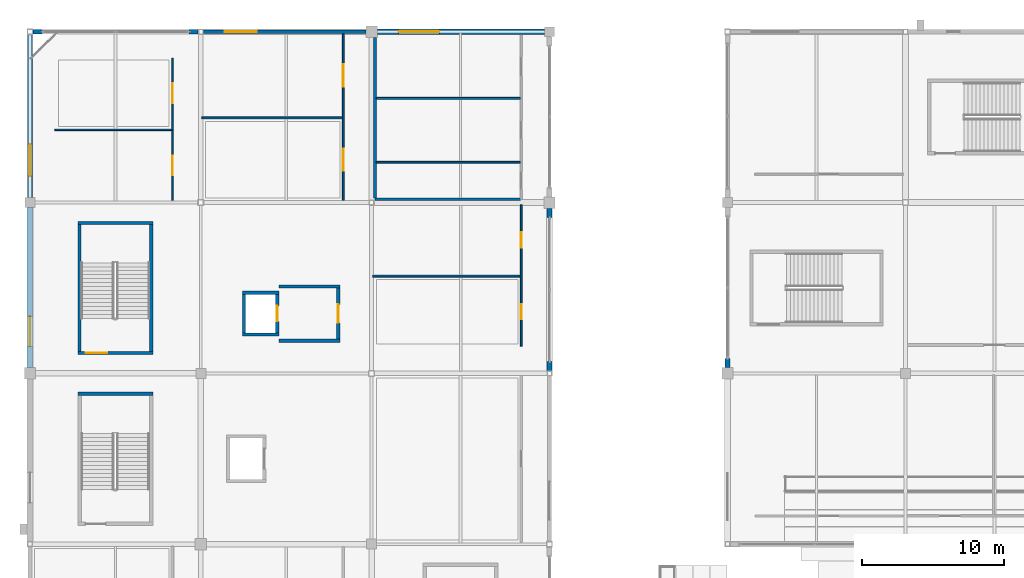
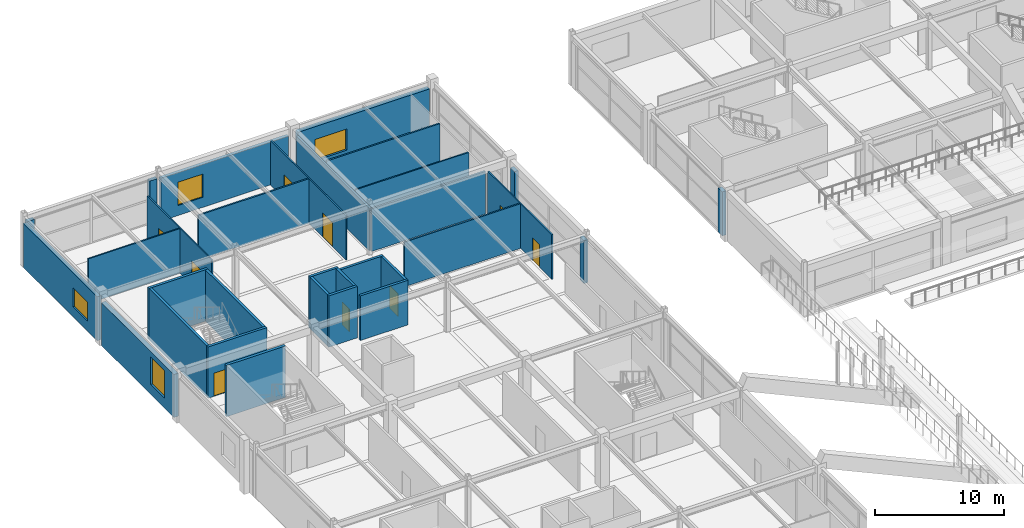
# One storey, part 96 of 128: 31 walls, 9 doors, 4 windows, 13 openings.
"""IFC4 building model written with IfcOpenShell, lengths in metres."""

from ifc_helpers import new_model, si_unit, direction, frame, frame_2d, origin, place, context, subcontext, project, spatial, rectangle, extrude, material, layer, layer_set, type_object, element, fill, save


model = new_model("IFC4")

# Units and contexts
model_context = context("Model", 3, precision=1e-05, world=origin(), true_north=direction((0.0, 1.0)))
body_context = subcontext(model_context, "Body", "Model", "MODEL_VIEW")
ifc_project = project(units=[si_unit("LENGTHUNIT", "METRE"), si_unit("AREAUNIT", "SQUARE_METRE"), si_unit("VOLUMEUNIT", "CUBIC_METRE"), si_unit("PLANEANGLEUNIT", "RADIAN"), si_unit("MASSUNIT", "GRAM", prefix="KILO")], contexts=[model_context])

# Site, building, storey
site_placement = place(None, origin())
site = spatial("IfcSite", under=ifc_project, at=site_placement, CompositionType="ELEMENT")
building_placement = place(site_placement, origin())
building = spatial("IfcBuilding", under=site, at=building_placement, Name="Kazenohara Klinker Stadium", CompositionType="ELEMENT")
storey_placement = place(building_placement, frame((0.0, 0.0, 15.300048828125)))
storey = spatial("IfcBuildingStorey", under=building, at=storey_placement, Name="L03", CompositionType="ELEMENT", Elevation=15.300048828125)

# Wall, opening, door
ifc_material_1 = material(Name="Concrete C40/50", Category="concrete")
ifc_layer_1 = layer(ifc_material_1, 0.22998046875)
ifc_layer_set_1 = layer_set([ifc_layer_1], Name="Concrete C40/50")
wall_type_1 = type_object("IfcWallType", Name="WAL-CORE-230", PredefinedType="SHEAR", material=ifc_layer_set_1)
wall_1_placement = place(storey_placement, frame((3.3701171875, 145.43505859375, 0.0), z_axis=(0.0, 0.0, 1.0), x_axis=(1.0, 0.0, 0.0)))
wall_1 = element("IfcWall", 1, at=wall_1_placement, inside=storey, type_object=wall_type_1, Name="Stairwell shear wall ST06 L03 South", PredefinedType="SHEAR", context=body_context, shape_type="SweptSolid", body=[
    extrude(rectangle(XDim=5.259765625, YDim=0.22998046875, at=frame_2d((2.6298828125, 0.0))), origin(), (0.0, 0.0, 1.0), 4.85986328125),
])
opening_1_placement = place(wall_1_placement, frame((0.550048828125, 0.0, 0.0)))
opening_1 = element("IfcOpeningElement", 2, at=opening_1_placement, cuts=wall_1, Name="Opening SD02", PredefinedType="OPENING", context=body_context, shape_type="SweptSolid", body=[
    extrude(rectangle(XDim=1.5, YDim=2.199951171875, at=frame_2d((0.75, 1.10009765625))), frame((0.0, 0.125, 0.0), z_axis=(0.0, -1.0, 0.0), x_axis=(1.0, 0.0, 0.0)), (0.0, 0.0, 1.0), 0.25),
])
ifc_material_2 = material(Name="Flush painted steel fire door leaf", Category="steel")
door_type_1 = type_object("IfcDoorType", Name="DR-STR-1500x2200", OperationType="NOTDEFINED", PredefinedType="DOOR", material=ifc_material_2)
door_1_placement = place(opening_1_placement, origin())
door_1 = element("IfcDoor", 3, at=door_1_placement, inside=storey, type_object=door_type_1, Name="Escape stairwell fire door ST06-L03", OperationType="SINGLE_SWING_RIGHT", OverallHeight=2.199951171875, OverallWidth=1.5, PredefinedType="DOOR", context=body_context, shape_type="SweptSolid", body=[
    extrude(rectangle(XDim=1.5, YDim=2.199951171875, at=frame_2d((0.75, 1.10009765625))), frame((0.0, 0.02490234375, 0.0), z_axis=(0.0, -1.0, 0.0), x_axis=(1.0, 0.0, 0.0)), (0.0, 0.0, 1.0), 0.050048828125),
])
fill(opening_1, door_1)

# Walls
wall_2_placement = place(storey_placement, frame((3.3701171875, 154.56494140625, 0.0), z_axis=(0.0, 0.0, 1.0), x_axis=(1.0, 0.0, 0.0)))
element("IfcWall", 4, at=wall_2_placement, inside=storey, type_object=wall_type_1, Name="Stairwell shear wall ST06 L03 North", PredefinedType="SHEAR", context=body_context, shape_type="SweptSolid", body=[
    extrude(rectangle(XDim=5.259765625, YDim=0.22998046875, at=frame_2d((2.6298828125, 0.0))), origin(), (0.0, 0.0, 1.0), 4.85986328125),
])
for number, where, z_axis, x_axis, name in (
    (5, (3.485107421875, 145.550048828125, 0.0), (0.0, 0.0, 1.0), (0.0, 1.0, 0.0), "Stairwell shear wall ST06 L03 West"),
    (6, (8.514892578125, 145.550048828125, 0.0), (0.0, 0.0, 1.0), (0.0, 1.0, 0.0), "Stairwell shear wall ST06 L03 East"),
):
    element("IfcWall", number, at=place(storey_placement, frame(where, z_axis=z_axis, x_axis=x_axis)), inside=storey, type_object=wall_type_1, Name=name, PredefinedType="SHEAR", context=body_context, shape_type="SweptSolid", body=[
        extrude(rectangle(XDim=8.89990234375, YDim=0.22998046875, at=frame_2d((4.449951171875, 0.0))), origin(), (0.0, 0.0, 1.0), 4.85986328125),
    ])
for number, where, z_axis, x_axis, name in (
    (7, (14.919921875, 146.735107421875, 0.0), (0.0, 0.0, 1.0), (1.0, 0.0, 0.0), "Elevator shaft wall LF03 L03 South"),
    (8, (14.919921875, 149.6650390625, 0.0), (0.0, 0.0, 1.0), (1.0, 0.0, 0.0), "Elevator shaft wall LF03 L03 North"),
):
    element("IfcWall", number, at=place(storey_placement, frame(where, z_axis=z_axis, x_axis=x_axis)), inside=storey, type_object=wall_type_1, Name=name, PredefinedType="SHEAR", context=body_context, shape_type="SweptSolid", body=[
        extrude(rectangle(XDim=2.56005859375, YDim=0.22998046875, at=frame_2d((1.280029296875, 0.0))), origin(), (0.0, 0.0, 1.0), 4.85986328125),
    ])
wall_3_placement = place(storey_placement, frame((15.034912109375, 146.85009765625, 0.0), z_axis=(0.0, 0.0, 1.0), x_axis=(0.0, 1.0, 0.0)))
element("IfcWall", 9, at=wall_3_placement, inside=storey, type_object=wall_type_1, Name="Elevator shaft wall LF03 L03 West", PredefinedType="SHEAR", context=body_context, shape_type="SweptSolid", body=[
    extrude(rectangle(XDim=2.699951171875, YDim=0.22998046875, at=frame_2d((1.35009765625, 0.0))), origin(), (0.0, 0.0, 1.0), 4.85986328125),
])

# Wall, opening, door
wall_4_placement = place(storey_placement, frame((17.364990234375, 146.85009765625, 0.0), z_axis=(0.0, 0.0, 1.0), x_axis=(0.0, 1.0, 0.0)))
wall_4 = element("IfcWall", 10, at=wall_4_placement, inside=storey, type_object=wall_type_1, Name="Elevator shaft wall LF03 L03 East", PredefinedType="SHEAR", context=body_context, shape_type="SweptSolid", body=[
    extrude(rectangle(XDim=2.699951171875, YDim=0.22998046875, at=frame_2d((1.35009765625, 0.0))), origin(), (0.0, 0.0, 1.0), 4.85986328125),
])
opening_2_placement = place(wall_4_placement, frame((0.800048828125, 0.0, 0.0)))
opening_2 = element("IfcOpeningElement", 11, at=opening_2_placement, cuts=wall_4, Name="Opening LD01", PredefinedType="OPENING", context=body_context, shape_type="SweptSolid", body=[
    extrude(rectangle(XDim=1.10009765625, YDim=2.14990234375, at=frame_2d((0.550048828125, 1.074951171875))), frame((0.0, 0.125, 0.0), z_axis=(0.0, -1.0, 0.0), x_axis=(1.0, 0.0, 0.0)), (0.0, 0.0, 1.0), 0.25),
])
ifc_material_3 = material(Name="Stainless steel fire-rated sliding landing door", Category="steel")
door_type_2 = type_object("IfcDoorType", Name="DR-LD01-1100x2150", OperationType="NOTDEFINED", PredefinedType="DOOR", material=ifc_material_3)
door_2_placement = place(opening_2_placement, origin())
door_2 = element("IfcDoor", 12, at=door_2_placement, inside=storey, type_object=door_type_2, Name="Elevator sliding landing door LF03-L03", OperationType="DOUBLE_DOOR_SLIDING", OverallHeight=2.14990234375, OverallWidth=1.10009765625, PredefinedType="DOOR", context=body_context, shape_type="SweptSolid", body=[
    extrude(rectangle(XDim=1.10009765625, YDim=2.14990234375, at=frame_2d((0.550048828125, 1.074951171875))), frame((0.0, 0.02490234375, 0.0), z_axis=(0.0, -1.0, 0.0), x_axis=(1.0, 0.0, 0.0)), (0.0, 0.0, 1.0), 0.050048828125),
])
fill(opening_2, door_2)

# Wall
ifc_layer_2 = layer(ifc_material_1, 0.25)
ifc_layer_set_2 = layer_set([ifc_layer_2], Name="Concrete C40/50")
wall_type_2 = type_object("IfcWallType", Name="WAL-CORE-250", PredefinedType="SHEAR", material=ifc_layer_set_2)
wall_5_placement = place(storey_placement, frame((3.360107421875, 142.574951171875, 0.0), z_axis=(0.0, 0.0, 1.0), x_axis=(1.0, 0.0, 0.0)))
element("IfcWall", 13, at=wall_5_placement, inside=storey, type_object=wall_type_2, Name="Stairwell shear wall ST05 L03 North", PredefinedType="SHEAR", context=body_context, shape_type="SweptSolid", body=[
    extrude(rectangle(XDim=5.27978515625, YDim=0.25, at=frame_2d((2.639892578125, 0.0))), origin(), (0.0, 0.0, 1.0), 4.85986328125),
])

# Wall, opening, window
ifc_material_4 = material(Name="Clinker brick masonry", Category="masonry")
ifc_layer_3 = layer(ifc_material_4, 0.280029296875)
ifc_layer_set_3 = layer_set([ifc_layer_3], Name="Clinker brick masonry")
wall_type_3 = type_object("IfcWallType", Name="WAL-EXT-CB280", PredefinedType="SOLIDWALL", material=ifc_layer_set_3)
wall_6_placement = place(storey_placement, frame((12.178955078125, 168.0, 0.0), z_axis=(0.0, 0.0, 1.0), x_axis=(1.0, 0.0, 0.0)))
wall_6 = element("IfcWall", 14, at=wall_6_placement, inside=storey, type_object=wall_type_3, Name="Clinker brick cavity wall EW06 L03 X1-14", PredefinedType="SOLIDWALL", context=body_context, shape_type="SweptSolid", body=[
    extrude(rectangle(XDim=11.4169921875, YDim=0.280029296875, at=frame_2d((5.70849609375, 0.0))), origin(), (0.0, 0.0, 1.0), 4.06005859375),
])
opening_3_placement = place(wall_6_placement, frame((1.5, 0.0, 0.949951171875)))
opening_3 = element("IfcOpeningElement", 15, at=opening_3_placement, cuts=wall_6, Name="Opening W22", PredefinedType="OPENING", context=body_context, shape_type="SweptSolid", body=[
    extrude(rectangle(XDim=2.25, YDim=2.199951171875, at=frame_2d((1.125, 1.10009765625))), frame((0.0, 0.14990234375, 0.0), z_axis=(0.0, -1.0, 0.0), x_axis=(1.0, 0.0, 0.0)), (0.0, 0.0, 1.0), 0.300048828125),
])
ifc_material_5 = material(Name="Dark bronze aluminium frame and triple glazing", Category="aluminium")
window_type_1 = type_object("IfcWindowType", Name="WIN-AS-22", PartitioningType="SINGLE_PANEL", PredefinedType="WINDOW", material=ifc_material_5)
window_1_placement = place(opening_3_placement, origin())
window_1 = element("IfcWindow", 16, at=window_1_placement, inside=storey, type_object=window_type_1, Name="Horizontal-mullion ladder window W22 L03 X1-14", OverallHeight=2.199951171875, OverallWidth=2.25, PartitioningType="SINGLE_PANEL", PredefinedType="WINDOW", context=body_context, shape_type="SweptSolid", body=[
    extrude(rectangle(XDim=2.25, YDim=2.199951171875, at=frame_2d((1.125, 1.10009765625))), frame((0.0, 0.030029296875, 0.0), z_axis=(0.0, -1.0, 0.0), x_axis=(1.0, 0.0, 0.0)), (0.0, 0.0, 1.0), 0.06005859375),
])
fill(opening_3, window_1)

# Walls
ifc_layer_4 = layer(ifc_material_4, 0.340087890625)
ifc_layer_set_4 = layer_set([ifc_layer_4], Name="Clinker brick masonry")
wall_type_4 = type_object("IfcWallType", Name="WAL-EXT-CB340", PredefinedType="SOLIDWALL", material=ifc_layer_set_4)
wall_7_placement = place(storey_placement, frame((0.2041015625, 168.0, 0.0), z_axis=(0.0, 0.0, 1.0), x_axis=(1.0, 0.0, 0.0)))
element("IfcWall", 17, at=wall_7_placement, inside=storey, type_object=wall_type_4, Name="Clinker brick curtain-wall jamb pier L03 X0-14 A", PredefinedType="SOLIDWALL", context=body_context, shape_type="SweptSolid", body=[
    extrude(rectangle(XDim=0.64990234375, YDim=0.340087890625, at=frame_2d((0.324951171875, 0.0))), origin(), (0.0, 0.0, 1.0), 4.171875),
])
wall_8_placement = place(storey_placement, frame((11.1708984375, 168.0, 0.0), z_axis=(0.0, 0.0, 1.0), x_axis=(1.0, 0.0, 0.0)))
element("IfcWall", 18, at=wall_8_placement, inside=storey, type_object=wall_type_4, Name="Clinker brick curtain-wall jamb pier L03 X0-14 B", PredefinedType="SOLIDWALL", context=body_context, shape_type="SweptSolid", body=[
    extrude(rectangle(XDim=0.650146484375, YDim=0.340087890625, at=frame_2d((0.3251953125, 0.0))), origin(), (0.0, 0.0, 1.0), 4.171875),
])

# Wall, opening, window
wall_9_placement = place(storey_placement, frame((0.0, 156.35400390625, 0.0), z_axis=(0.0, 0.0, 1.0), x_axis=(0.0, 1.0, 0.0)))
wall_9 = element("IfcWall", 19, at=wall_9_placement, inside=storey, type_object=wall_type_4, Name="Clinker brick cavity wall EW04 L03 Y0-13", PredefinedType="SOLIDWALL", context=body_context, shape_type="SweptSolid", body=[
    extrude(rectangle(XDim=11.44189453125, YDim=0.340087890625, at=frame_2d((5.720947265625, 0.0))), origin(), (0.0, 0.0, 1.0), 4.159912109375),
])
opening_4_placement = place(wall_9_placement, frame((1.5, 0.0, 0.949951171875)))
opening_4 = element("IfcOpeningElement", 20, at=opening_4_placement, cuts=wall_9, Name="Opening W21", PredefinedType="OPENING", context=body_context, shape_type="SweptSolid", body=[
    extrude(rectangle(XDim=2.25, YDim=1.800048828125, at=frame_2d((1.125, 0.89990234375))), frame((0.0, 0.18017578125, 0.0), z_axis=(0.0, -1.0, 0.0), x_axis=(1.0, 0.0, 0.0)), (0.0, 0.0, 1.0), 0.360107421875),
])
window_type_2 = type_object("IfcWindowType", Name="WIN-AS-21", PartitioningType="SINGLE_PANEL", PredefinedType="WINDOW", material=ifc_material_5)
window_2_placement = place(opening_4_placement, origin())
window_2 = element("IfcWindow", 21, at=window_2_placement, inside=storey, type_object=window_type_2, Name="Horizontal-mullion ladder window W21 L03 Y0-13", OverallHeight=1.800048828125, OverallWidth=2.25, PartitioningType="SINGLE_PANEL", PredefinedType="WINDOW", context=body_context, shape_type="SweptSolid", body=[
    extrude(rectangle(XDim=2.25, YDim=1.800048828125, at=frame_2d((1.125, 0.89990234375))), frame((0.0, 0.030029296875, 0.0), z_axis=(0.0, -1.0, 0.0), x_axis=(1.0, 0.0, 0.0)), (0.0, 0.0, 1.0), 0.06005859375),
])
fill(opening_4, window_2)

# Walls
wall_10_placement = place(storey_placement, frame((36.5, 144.178955078125, 0.0), z_axis=(0.0, 0.0, 1.0), x_axis=(0.0, 1.0, 0.0)))
element("IfcWall", 22, at=wall_10_placement, inside=storey, type_object=wall_type_4, Name="Clinker brick curtain-wall jamb pier L03 Y3-12 A", PredefinedType="SOLIDWALL", context=body_context, shape_type="SweptSolid", body=[
    extrude(rectangle(XDim=0.650146484375, YDim=0.340087890625, at=frame_2d((0.3251953125, 0.0))), origin(), (0.0, 0.0, 1.0), 4.06005859375),
])
wall_11_placement = place(storey_placement, frame((36.5, 154.946044921875, 0.0), z_axis=(0.0, 0.0, 1.0), x_axis=(0.0, 1.0, 0.0)))
element("IfcWall", 23, at=wall_11_placement, inside=storey, type_object=wall_type_4, Name="Clinker brick curtain-wall jamb pier L03 Y3-12 B", PredefinedType="SOLIDWALL", context=body_context, shape_type="SweptSolid", body=[
    extrude(rectangle(XDim=0.64990234375, YDim=0.340087890625, at=frame_2d((0.324951171875, 0.0))), origin(), (0.0, 0.0, 1.0), 4.06005859375),
])
wall_12_placement = place(storey_placement, frame((49.0, 144.404052734375, 0.0), z_axis=(0.0, 0.0, 1.0), x_axis=(0.0, 1.0, 0.0)))
element("IfcWall", 24, at=wall_12_placement, inside=storey, type_object=wall_type_4, Name="Clinker brick curtain-wall jamb pier L03 Y4-12 A", PredefinedType="SOLIDWALL", context=body_context, shape_type="SweptSolid", body=[
    extrude(rectangle(XDim=0.64990234375, YDim=0.340087890625, at=frame_2d((0.324951171875, 0.0))), origin(), (0.0, 0.0, 1.0), 4.159912109375),
])

# Wall, opening, window
ifc_layer_5 = layer(ifc_material_4, 0.409912109375)
ifc_layer_set_5 = layer_set([ifc_layer_5], Name="Clinker brick masonry")
wall_type_5 = type_object("IfcWallType", Name="WAL-EXT-CB410", PredefinedType="SOLIDWALL", material=ifc_layer_set_5)
wall_13_placement = place(storey_placement, frame((0.0, 144.404052734375, 0.0), z_axis=(0.0, 0.0, 1.0), x_axis=(0.0, 1.0, 0.0)))
wall_13 = element("IfcWall", 25, at=wall_13_placement, inside=storey, type_object=wall_type_5, Name="Clinker brick cavity wall EW02 L03 Y0-12", PredefinedType="SOLIDWALL", context=body_context, shape_type="SweptSolid", body=[
    extrude(rectangle(XDim=11.241943359375, YDim=0.409912109375, at=frame_2d((5.62109375, 0.0))), origin(), (0.0, 0.0, 1.0), 4.06005859375),
])
opening_5_placement = place(wall_13_placement, frame((1.5, 0.0, 0.949951171875)))
opening_5 = element("IfcOpeningElement", 26, at=opening_5_placement, cuts=wall_13, Name="Opening W20", PredefinedType="OPENING", context=body_context, shape_type="SweptSolid", body=[
    extrude(rectangle(XDim=2.10009765625, YDim=2.60009765625, at=frame_2d((1.050048828125, 1.300048828125))), frame((0.0, 0.21484375, 0.0), z_axis=(0.0, -1.0, 0.0), x_axis=(1.0, 0.0, 0.0)), (0.0, 0.0, 1.0), 0.429931640625),
])
window_type_3 = type_object("IfcWindowType", Name="WIN-AS-20", PartitioningType="SINGLE_PANEL", PredefinedType="WINDOW", material=ifc_material_5)
window_3_placement = place(opening_5_placement, origin())
window_3 = element("IfcWindow", 27, at=window_3_placement, inside=storey, type_object=window_type_3, Name="Horizontal-mullion ladder window W20 L03 Y0-12", OverallHeight=2.60009765625, OverallWidth=2.10009765625, PartitioningType="SINGLE_PANEL", PredefinedType="WINDOW", context=body_context, shape_type="SweptSolid", body=[
    extrude(rectangle(XDim=2.10009765625, YDim=2.60009765625, at=frame_2d((1.050048828125, 1.300048828125))), frame((0.0, 0.030029296875, 0.0), z_axis=(0.0, -1.0, 0.0), x_axis=(1.0, 0.0, 0.0)), (0.0, 0.0, 1.0), 0.06005859375),
])
fill(opening_5, window_3)

wall_14_placement = place(storey_placement, frame((24.404052734375, 168.0, 0.0), z_axis=(0.0, 0.0, 1.0), x_axis=(1.0, 0.0, 0.0)))
wall_14 = element("IfcWall", 28, at=wall_14_placement, inside=storey, type_object=wall_type_5, Name="Clinker brick cavity wall EW02 L03 X2-14", PredefinedType="SOLIDWALL", context=body_context, shape_type="SweptSolid", body=[
    extrude(rectangle(XDim=11.741943359375, YDim=0.409912109375, at=frame_2d((5.87109375, 0.0))), origin(), (0.0, 0.0, 1.0), 4.159912109375),
])
opening_6_placement = place(wall_14_placement, frame((1.5, 0.0, 0.949951171875)))
opening_6 = element("IfcOpeningElement", 29, at=opening_6_placement, cuts=wall_14, Name="Opening W29", PredefinedType="OPENING", context=body_context, shape_type="SweptSolid", body=[
    extrude(rectangle(XDim=2.85009765625, YDim=2.0, at=frame_2d((1.425048828125, 1.0))), frame((0.0, 0.21484375, 0.0), z_axis=(0.0, -1.0, 0.0), x_axis=(1.0, 0.0, 0.0)), (0.0, 0.0, 1.0), 0.429931640625),
])
window_type_4 = type_object("IfcWindowType", Name="WIN-AS-29", PartitioningType="SINGLE_PANEL", PredefinedType="WINDOW", material=ifc_material_5)
window_4_placement = place(opening_6_placement, origin())
window_4 = element("IfcWindow", 30, at=window_4_placement, inside=storey, type_object=window_type_4, Name="Horizontal-mullion ladder window W29 L03 X2-14", OverallHeight=2.0, OverallWidth=2.85009765625, PartitioningType="SINGLE_PANEL", PredefinedType="WINDOW", context=body_context, shape_type="SweptSolid", body=[
    extrude(rectangle(XDim=2.85009765625, YDim=2.0, at=frame_2d((1.425048828125, 1.0))), frame((0.0, 0.030029296875, 0.0), z_axis=(0.0, -1.0, 0.0), x_axis=(1.0, 0.0, 0.0)), (0.0, 0.0, 1.0), 0.06005859375),
])
fill(opening_6, window_4)

# Walls
ifc_layer_6 = layer(ifc_material_1, 0.219970703125)
ifc_layer_set_6 = layer_set([ifc_layer_6], Name="Concrete C40/50")
wall_type_6 = type_object("IfcWallType", Name="WAL-INT-FF220", PredefinedType="SOLIDWALL", material=ifc_layer_set_6)
for number, where, z_axis, x_axis, name in (
    (31, (17.47998046875, 146.2900390625, 0.0), (0.0, 0.0, 1.0), (1.0, 0.0, 0.0), "Firefighting lobby wall LF03 L03 South"),
    (32, (17.47998046875, 150.110107421875, 0.0), (0.0, 0.0, 1.0), (1.0, 0.0, 0.0), "Firefighting lobby wall LF03 L03 North"),
):
    element("IfcWall", number, at=place(storey_placement, frame(where, z_axis=z_axis, x_axis=x_axis)), inside=storey, type_object=wall_type_6, Name=name, PredefinedType="SOLIDWALL", context=body_context, shape_type="SweptSolid", body=[
        extrude(rectangle(XDim=4.2900390625, YDim=0.219970703125, at=frame_2d((2.14501953125, 0.0))), origin(), (0.0, 0.0, 1.0), 4.219970703125),
    ])

# Wall, opening, door
wall_15_placement = place(storey_placement, frame((21.659912109375, 146.39990234375, 0.0), z_axis=(0.0, 0.0, 1.0), x_axis=(0.0, 1.0, 0.0)))
wall_15 = element("IfcWall", 33, at=wall_15_placement, inside=storey, type_object=wall_type_6, Name="Firefighting lobby front wall LF03 L03", PredefinedType="SOLIDWALL", context=body_context, shape_type="SweptSolid", body=[
    extrude(rectangle(XDim=3.60009765625, YDim=0.219970703125, at=frame_2d((1.800048828125, 0.0))), origin(), (0.0, 0.0, 1.0), 4.219970703125),
])
opening_7_placement = place(wall_15_placement, frame((1.14990234375, 0.0, 0.0)))
opening_7 = element("IfcOpeningElement", 34, at=opening_7_placement, cuts=wall_15, Name="Opening FD01", PredefinedType="OPENING", context=body_context, shape_type="SweptSolid", body=[
    extrude(rectangle(XDim=1.300048828125, YDim=2.14990234375, at=frame_2d((0.64990234375, 1.074951171875))), frame((0.0, 0.1201171875, 0.0), z_axis=(0.0, -1.0, 0.0), x_axis=(1.0, 0.0, 0.0)), (0.0, 0.0, 1.0), 0.239990234375),
])
ifc_material_6 = material(Name="Smoke-sealed steel fire lobby door", Category="steel")
door_type_3 = type_object("IfcDoorType", Name="DR-FFL-1300x2150", OperationType="NOTDEFINED", PredefinedType="DOOR", material=ifc_material_6)
door_3_placement = place(opening_7_placement, origin())
door_3 = element("IfcDoor", 35, at=door_3_placement, inside=storey, type_object=door_type_3, Name="Firefighting lobby smoke-sealed door LF03-L03", OperationType="SINGLE_SWING_LEFT", OverallHeight=2.14990234375, OverallWidth=1.300048828125, PredefinedType="DOOR", context=body_context, shape_type="SweptSolid", body=[
    extrude(rectangle(XDim=1.300048828125, YDim=2.14990234375, at=frame_2d((0.64990234375, 1.074951171875))), frame((0.0, 0.02490234375, 0.0), z_axis=(0.0, -1.0, 0.0), x_axis=(1.0, 0.0, 0.0)), (0.0, 0.0, 1.0), 0.050048828125),
])
fill(opening_7, door_3)

# Wall, openings, doors
ifc_material_7 = material(Name="Fire-rated gypsum board on acoustic studs", Category="gypsum")
ifc_layer_7 = layer(ifc_material_7, 0.110107421875)
ifc_layer_set_7 = layer_set([ifc_layer_7], Name="Fire-rated gypsum board on acoustic studs")
wall_type_7 = type_object("IfcWallType", Name="WAL-INT-P110", PredefinedType="PARTITIONING", material=ifc_layer_set_7)
wall_16_placement = place(storey_placement, frame((10.010009765625, 156.159912109375, 0.0), z_axis=(0.0, 0.0, 1.0), x_axis=(0.0, 1.0, 0.0)))
wall_16 = element("IfcWall", 36, at=wall_16_placement, inside=storey, type_object=wall_type_7, Name="Interior partition wall PT01 SPC-L03-00-13-1-1", PredefinedType="PARTITIONING", context=body_context, shape_type="SweptSolid", body=[
    extrude(rectangle(XDim=9.989990234375, YDim=0.110107421875, at=frame_2d((4.9951171875, 0.0))), origin(), (0.0, 0.0, 1.0), 4.219970703125),
])
opening_8_placement = place(wall_16_placement, frame((1.75244140625, 0.0, 0.0)))
opening_8 = element("IfcOpeningElement", 37, at=opening_8_placement, cuts=wall_16, Name="Opening ID17", PredefinedType="OPENING", context=body_context, shape_type="SweptSolid", body=[
    extrude(rectangle(XDim=1.360107421875, YDim=2.25, at=frame_2d((0.68017578125, 1.125))), frame((0.0, 0.06494140625, 0.0), z_axis=(0.0, -1.0, 0.0), x_axis=(1.0, 0.0, 0.0)), (0.0, 0.0, 1.0), 0.130126953125),
])
opening_9_placement = place(wall_16_placement, frame((6.8076171875, 0.0, 0.0)))
opening_9 = element("IfcOpeningElement", 38, at=opening_9_placement, cuts=wall_16, Name="Opening ID18", PredefinedType="OPENING", context=body_context, shape_type="SweptSolid", body=[
    extrude(rectangle(XDim=1.39990234375, YDim=2.239990234375, at=frame_2d((0.699951171875, 1.1201171875))), frame((0.0, 0.06494140625, 0.0), z_axis=(0.0, -1.0, 0.0), x_axis=(1.0, 0.0, 0.0)), (0.0, 0.0, 1.0), 0.130126953125),
])
ifc_material_8 = material(Name="Solid-core Hokkaido oak fire door", Category="wood")
door_type_4 = type_object("IfcDoorType", Name="DR-INT-17", OperationType="NOTDEFINED", PredefinedType="DOOR", material=ifc_material_8)
door_4_placement = place(opening_8_placement, origin())
door_4 = element("IfcDoor", 39, at=door_4_placement, inside=storey, type_object=door_type_4, Name="Interior door ID17 Supporter Tifo Workshop Studio L03-0013A", OperationType="SINGLE_SWING_RIGHT", OverallHeight=2.25, OverallWidth=1.360107421875, PredefinedType="DOOR", context=body_context, shape_type="SweptSolid", body=[
    extrude(rectangle(XDim=1.360107421875, YDim=2.25, at=frame_2d((0.68017578125, 1.125))), frame((0.0, 0.02490234375, 0.0), z_axis=(0.0, -1.0, 0.0), x_axis=(1.0, 0.0, 0.0)), (0.0, 0.0, 1.0), 0.050048828125),
])
fill(opening_8, door_4)
door_type_5 = type_object("IfcDoorType", Name="DR-INT-18", OperationType="NOTDEFINED", PredefinedType="DOOR", material=ifc_material_8)
door_5_placement = place(opening_9_placement, origin())
door_5 = element("IfcDoor", 40, at=door_5_placement, inside=storey, type_object=door_type_5, Name="Interior door ID18 Crowd Safety Monitoring Control Studio L03-0013B", OperationType="SINGLE_SWING_LEFT", OverallHeight=2.239990234375, OverallWidth=1.39990234375, PredefinedType="DOOR", context=body_context, shape_type="SweptSolid", body=[
    extrude(rectangle(XDim=1.39990234375, YDim=2.239990234375, at=frame_2d((0.699951171875, 1.1201171875))), frame((0.0, 0.02490234375, 0.0), z_axis=(0.0, -1.0, 0.0), x_axis=(1.0, 0.0, 0.0)), (0.0, 0.0, 1.0), 0.050048828125),
])
fill(opening_9, door_5)

# Wall
ifc_layer_8 = layer(ifc_material_7, 0.1201171875)
ifc_layer_set_8 = layer_set([ifc_layer_8], Name="Fire-rated gypsum board on acoustic studs")
wall_type_8 = type_object("IfcWallType", Name="WAL-INT-P120", PredefinedType="PARTITIONING", material=ifc_layer_set_8)
wall_17_placement = place(storey_placement, frame((1.75, 161.10498046875, 0.0), z_axis=(0.0, 0.0, 1.0), x_axis=(1.0, 0.0, 0.0)))
element("IfcWall", 41, at=wall_17_placement, inside=storey, type_object=wall_type_8, Name="Interior partition wall PT02 SPC-L03-00-13-1-2", PredefinedType="PARTITIONING", context=body_context, shape_type="SweptSolid", body=[
    extrude(rectangle(XDim=8.199951171875, YDim=0.1201171875, at=frame_2d((4.10009765625, 0.0))), origin(), (0.0, 0.0, 1.0), 4.219970703125),
])

# Wall, openings, doors
wall_18_placement = place(storey_placement, frame((22.010009765625, 156.159912109375, 0.0), z_axis=(0.0, 0.0, 1.0), x_axis=(0.0, 1.0, 0.0)))
wall_18 = element("IfcWall", 42, at=wall_18_placement, inside=storey, type_object=wall_type_8, Name="Interior partition wall PT02 SPC-L03-01-13-1-1", PredefinedType="PARTITIONING", context=body_context, shape_type="SweptSolid", body=[
    extrude(rectangle(XDim=11.697998046875, YDim=0.1201171875, at=frame_2d((5.84912109375, 0.0))), origin(), (0.0, 0.0, 1.0), 4.219970703125),
])
opening_10_placement = place(wall_18_placement, frame((2.0908203125, 0.0, 0.0)))
opening_10 = element("IfcOpeningElement", 43, at=opening_10_placement, cuts=wall_18, Name="Opening ID21", PredefinedType="OPENING", context=body_context, shape_type="SweptSolid", body=[
    extrude(rectangle(XDim=1.52001953125, YDim=2.280029296875, at=frame_2d((0.760009765625, 1.14013671875))), frame((0.0, 0.070068359375, 0.0), z_axis=(0.0, -1.0, 0.0), x_axis=(1.0, 0.0, 0.0)), (0.0, 0.0, 1.0), 0.14013671875),
])
opening_11_placement = place(wall_18_placement, frame((7.99072265625, 0.0, 0.0)))
opening_11 = element("IfcOpeningElement", 44, at=opening_11_placement, cuts=wall_18, Name="Opening ID22", PredefinedType="OPENING", context=body_context, shape_type="SweptSolid", body=[
    extrude(rectangle(XDim=1.56005859375, YDim=2.260009765625, at=frame_2d((0.780029296875, 1.1298828125))), frame((0.0, 0.070068359375, 0.0), z_axis=(0.0, -1.0, 0.0), x_axis=(1.0, 0.0, 0.0)), (0.0, 0.0, 1.0), 0.14013671875),
])
ifc_material_9 = material(Name="Painted steel plant fire door", Category="steel")
door_type_6 = type_object("IfcDoorType", Name="DR-INT-21", OperationType="NOTDEFINED", PredefinedType="DOOR", material=ifc_material_9)
door_6_placement = place(opening_10_placement, origin())
door_6 = element("IfcDoor", 45, at=door_6_placement, inside=storey, type_object=door_type_6, Name="Interior door ID21 Crowd Safety Monitoring Control Studio L03-0113A", OperationType="SINGLE_SWING_RIGHT", OverallHeight=2.280029296875, OverallWidth=1.52001953125, PredefinedType="DOOR", context=body_context, shape_type="SweptSolid", body=[
    extrude(rectangle(XDim=1.52001953125, YDim=2.280029296875, at=frame_2d((0.760009765625, 1.14013671875))), frame((0.0, 0.02490234375, 0.0), z_axis=(0.0, -1.0, 0.0), x_axis=(1.0, 0.0, 0.0)), (0.0, 0.0, 1.0), 0.050048828125),
])
fill(opening_10, door_6)
door_type_7 = type_object("IfcDoorType", Name="DR-INT-22", OperationType="NOTDEFINED", PredefinedType="DOOR", material=ifc_material_9)
door_7_placement = place(opening_11_placement, origin())
door_7 = element("IfcDoor", 46, at=door_7_placement, inside=storey, type_object=door_type_7, Name="Interior door ID22 Concourse Cold-Climate Hospitality Lounge L03-0113B", OperationType="SINGLE_SWING_LEFT", OverallHeight=2.260009765625, OverallWidth=1.56005859375, PredefinedType="DOOR", context=body_context, shape_type="SweptSolid", body=[
    extrude(rectangle(XDim=1.56005859375, YDim=2.260009765625, at=frame_2d((0.780029296875, 1.1298828125))), frame((0.0, 0.02490234375, 0.0), z_axis=(0.0, -1.0, 0.0), x_axis=(1.0, 0.0, 0.0)), (0.0, 0.0, 1.0), 0.050048828125),
])
fill(opening_11, door_7)

wall_19_placement = place(storey_placement, frame((34.510009765625, 145.919921875, 0.0), z_axis=(0.0, 0.0, 1.0), x_axis=(0.0, 1.0, 0.0)))
wall_19 = element("IfcWall", 47, at=wall_19_placement, inside=storey, type_object=wall_type_8, Name="Interior partition wall PT02 SPC-L03-02-12-1-1", PredefinedType="PARTITIONING", context=body_context, shape_type="SweptSolid", body=[
    extrude(rectangle(XDim=9.920166015625, YDim=0.1201171875, at=frame_2d((4.9599609375, 0.0))), origin(), (0.0, 0.0, 1.0), 4.219970703125),
])
opening_12_placement = place(wall_19_placement, frame((1.88525390625, 0.0, 0.0)))
opening_12 = element("IfcOpeningElement", 48, at=opening_12_placement, cuts=wall_19, Name="Opening ID07", PredefinedType="OPENING", context=body_context, shape_type="SweptSolid", body=[
    extrude(rectangle(XDim=1.06005859375, YDim=2.14990234375, at=frame_2d((0.530029296875, 1.074951171875))), frame((0.0, 0.070068359375, 0.0), z_axis=(0.0, -1.0, 0.0), x_axis=(1.0, 0.0, 0.0)), (0.0, 0.0, 1.0), 0.14013671875),
])
opening_13_placement = place(wall_19_placement, frame((6.91015625, 0.0, 0.0)))
opening_13 = element("IfcOpeningElement", 49, at=opening_13_placement, cuts=wall_19, Name="Opening ID08", PredefinedType="OPENING", context=body_context, shape_type="SweptSolid", body=[
    extrude(rectangle(XDim=1.090087890625, YDim=2.159912109375, at=frame_2d((0.544921875, 1.080078125))), frame((0.0, 0.070068359375, 0.0), z_axis=(0.0, -1.0, 0.0), x_axis=(1.0, 0.0, 0.0)), (0.0, 0.0, 1.0), 0.14013671875),
])
door_type_8 = type_object("IfcDoorType", Name="DR-INT-07", OperationType="NOTDEFINED", PredefinedType="DOOR", material=ifc_material_8)
door_8_placement = place(opening_12_placement, origin())
door_8 = element("IfcDoor", 50, at=door_8_placement, inside=storey, type_object=door_type_8, Name="Interior door ID07 Upper Stand First-Aid Medical Clinic L03-0212A", OperationType="SINGLE_SWING_RIGHT", OverallHeight=2.14990234375, OverallWidth=1.06005859375, PredefinedType="DOOR", context=body_context, shape_type="SweptSolid", body=[
    extrude(rectangle(XDim=1.06005859375, YDim=2.14990234375, at=frame_2d((0.530029296875, 1.074951171875))), frame((0.0, 0.02490234375, 0.0), z_axis=(0.0, -1.0, 0.0), x_axis=(1.0, 0.0, 0.0)), (0.0, 0.0, 1.0), 0.050048828125),
])
fill(opening_12, door_8)
door_type_9 = type_object("IfcDoorType", Name="DR-INT-08", OperationType="NOTDEFINED", PredefinedType="DOOR", material=ifc_material_8)
door_9_placement = place(opening_13_placement, origin())
door_9 = element("IfcDoor", 51, at=door_9_placement, inside=storey, type_object=door_type_9, Name="Interior door ID08 East Panorama Concourse Dining Court L03-0212B", OperationType="SINGLE_SWING_LEFT", OverallHeight=2.159912109375, OverallWidth=1.090087890625, PredefinedType="DOOR", context=body_context, shape_type="SweptSolid", body=[
    extrude(rectangle(XDim=1.090087890625, YDim=2.159912109375, at=frame_2d((0.544921875, 1.080078125))), frame((0.0, 0.02490234375, 0.0), z_axis=(0.0, -1.0, 0.0), x_axis=(1.0, 0.0, 0.0)), (0.0, 0.0, 1.0), 0.050048828125),
])
fill(opening_13, door_9)

# Walls
wall_20_placement = place(storey_placement, frame((24.340087890625, 158.830322265625, 0.0), z_axis=(0.0, 0.0, 1.0), x_axis=(1.0, 0.0, 0.0)))
element("IfcWall", 52, at=wall_20_placement, inside=storey, type_object=wall_type_8, Name="Interior partition wall PT02 SPC-L03-02-13-1-4", PredefinedType="PARTITIONING", context=body_context, shape_type="SweptSolid", body=[
    extrude(rectangle(XDim=10.10986328125, YDim=0.1201171875, at=frame_2d((5.054931640625, 0.0))), origin(), (0.0, 0.0, 1.0), 4.219970703125),
])
ifc_layer_9 = layer(ifc_material_7, 0.139892578125)
ifc_layer_set_9 = layer_set([ifc_layer_9], Name="Fire-rated gypsum board on acoustic studs")
wall_type_9 = type_object("IfcWallType", Name="WAL-INT-P140", PredefinedType="PARTITIONING", material=ifc_layer_set_9)
wall_21_placement = place(storey_placement, frame((12.080078125, 161.941650390625, 0.0), z_axis=(0.0, 0.0, 1.0), x_axis=(1.0, 0.0, 0.0)))
element("IfcWall", 53, at=wall_21_placement, inside=storey, type_object=wall_type_9, Name="Interior partition wall PT03 SPC-L03-01-13-1-2", PredefinedType="PARTITIONING", context=body_context, shape_type="SweptSolid", body=[
    extrude(rectangle(XDim=9.864990234375, YDim=0.139892578125, at=frame_2d((4.9326171875, 0.0))), origin(), (0.0, 0.0, 1.0), 4.219970703125),
])
wall_22_placement = place(storey_placement, frame((24.080078125, 150.830322265625, 0.0), z_axis=(0.0, 0.0, 1.0), x_axis=(1.0, 0.0, 0.0)))
element("IfcWall", 54, at=wall_22_placement, inside=storey, type_object=wall_type_9, Name="Interior partition wall PT03 SPC-L03-02-12-1-2", PredefinedType="PARTITIONING", context=body_context, shape_type="SweptSolid", body=[
    extrude(rectangle(XDim=10.364990234375, YDim=0.139892578125, at=frame_2d((5.1826171875, 0.0))), origin(), (0.0, 0.0, 1.0), 4.219970703125),
])
wall_23_placement = place(storey_placement, frame((24.340087890625, 163.3251953125, 0.0), z_axis=(0.0, 0.0, 1.0), x_axis=(1.0, 0.0, 0.0)))
element("IfcWall", 55, at=wall_23_placement, inside=storey, type_object=wall_type_9, Name="Interior partition wall PT03 SPC-L03-02-13-1-5", PredefinedType="PARTITIONING", context=body_context, shape_type="SweptSolid", body=[
    extrude(rectangle(XDim=10.10986328125, YDim=0.139892578125, at=frame_2d((5.054931640625, 0.0))), origin(), (0.0, 0.0, 1.0), 4.219970703125),
])
ifc_layer_10 = layer(ifc_material_7, 0.169921875)
ifc_layer_set_10 = layer_set([ifc_layer_10], Name="Fire-rated gypsum board on acoustic studs")
wall_type_10 = type_object("IfcWallType", Name="WAL-INT-P170", PredefinedType="PARTITIONING", material=ifc_layer_set_10)
wall_24_placement = place(storey_placement, frame((24.239990234375, 156.239990234375, 0.0), z_axis=(0.0, 0.0, 1.0), x_axis=(1.0, 0.0, 0.0)))
element("IfcWall", 56, at=wall_24_placement, inside=storey, type_object=wall_type_10, Name="Interior partition wall PT05 SPC-L03-02-13-1-1", PredefinedType="PARTITIONING", context=body_context, shape_type="SweptSolid", body=[
    extrude(rectangle(XDim=10.2099609375, YDim=0.169921875, at=frame_2d((5.10498046875, 0.0))), origin(), (0.0, 0.0, 1.0), 4.02001953125),
])
ifc_layer_11 = layer(ifc_material_7, 0.18994140625)
ifc_layer_set_11 = layer_set([ifc_layer_11], Name="Fire-rated gypsum board on acoustic studs")
wall_type_11 = type_object("IfcWallType", Name="WAL-INT-P190", PredefinedType="PARTITIONING", material=ifc_layer_set_11)
wall_25_placement = place(storey_placement, frame((24.239990234375, 156.330078125, 0.0), z_axis=(0.0, 0.0, 1.0), x_axis=(0.0, 1.0, 0.0)))
element("IfcWall", 57, at=wall_25_placement, inside=storey, type_object=wall_type_11, Name="Interior partition wall PT06 SPC-L03-02-13-1-2", PredefinedType="PARTITIONING", context=body_context, shape_type="SweptSolid", body=[
    extrude(rectangle(XDim=11.265869140625, YDim=0.18994140625, at=frame_2d((5.6328125, 0.0))), origin(), (0.0, 0.0, 1.0), 4.02001953125),
])

save(model, "model.ifc")
